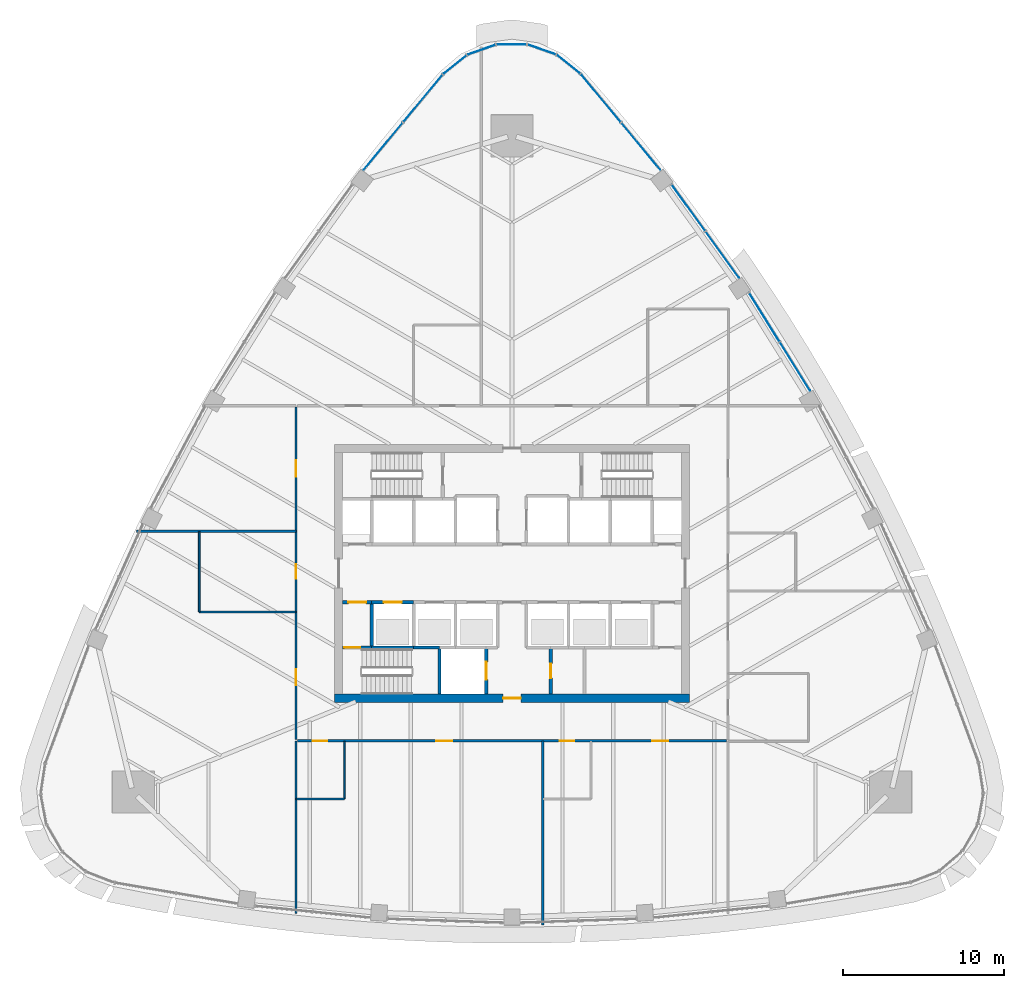
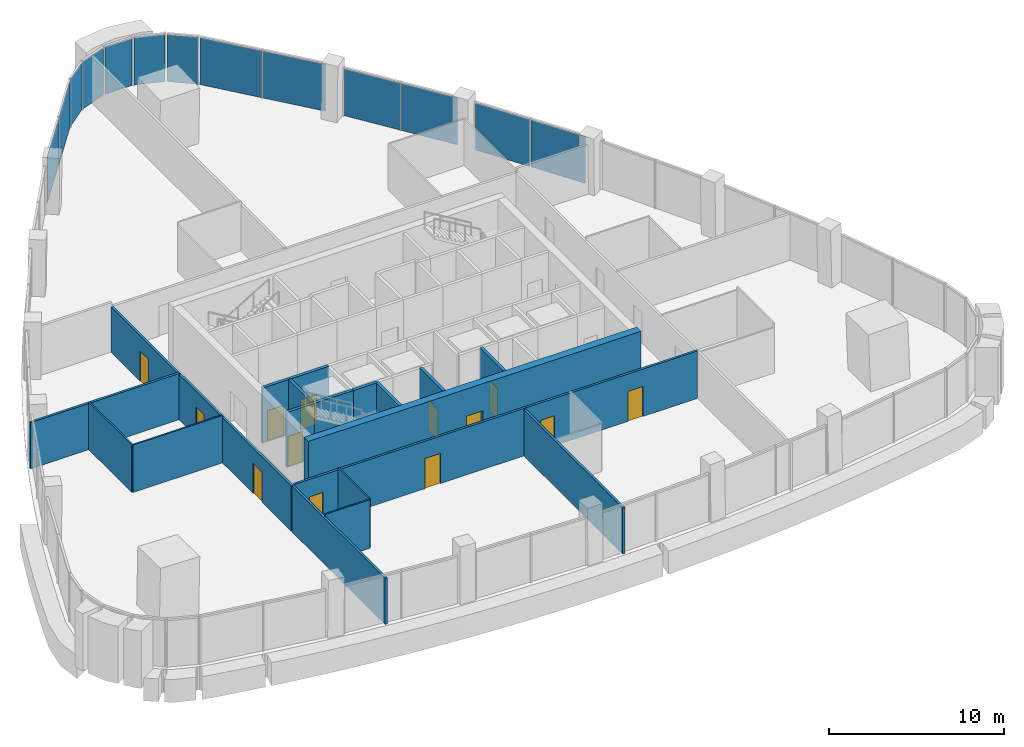
# One storey, part 9 of 16: 19 walls, 13 doors, 13 plates, 13 openings, 9 elements without a shape of their own.
"""IFC4 building model written with IfcOpenShell, lengths in metres."""

from ifc_helpers import new_model, si_unit, direction, frame, frame_2d, origin, origin_2d, place, context, subcontext, project, spatial, rectangle, extrude, material, layer, layer_set, type_object, element, fill, aggregate, save


model = new_model("IFC4")

# Units and contexts
model_context = context("Model", 3, precision=1e-05, world=origin(), true_north=direction((0.0, 1.0)))
body_context = subcontext(model_context, "Body", "Model", "MODEL_VIEW")
ifc_project = project(units=[si_unit("LENGTHUNIT", "METRE"), si_unit("AREAUNIT", "SQUARE_METRE"), si_unit("VOLUMEUNIT", "CUBIC_METRE"), si_unit("PLANEANGLEUNIT", "RADIAN"), si_unit("MASSUNIT", "GRAM", prefix="KILO")], contexts=[model_context])

# Site, building, storey
site_placement = place(None, origin())
site = spatial("IfcSite", under=ifc_project, at=site_placement, CompositionType="ELEMENT")
building_placement = place(site_placement, origin())
building = spatial("IfcBuilding", under=site, at=building_placement, Name="Sierra Prisma Convention Tower", CompositionType="ELEMENT")
storey_placement = place(building_placement, frame((0.0, 0.0, 181.800048828125)))
storey = spatial("IfcBuildingStorey", under=building, at=storey_placement, Name="L40", CompositionType="ELEMENT", Elevation=181.800048828125)

# Curtain wall, plates
ifc_material_1 = material(Name="Aluminium and glass curtain wall", Category="aluminium")
ifc_layer_1 = layer(ifc_material_1, 0.179931640625)
ifc_layer_set_1 = layer_set([ifc_layer_1], Name="CW-1 Plain shaft curtain wall")
curtain_wall_type = type_object("IfcCurtainWallType", Name="CW-1 Plain shaft curtain wall", PredefinedType="NOTDEFINED", material=ifc_layer_set_1)
curtain_wall_1_placement = place(storey_placement, origin())
curtain_wall_1 = element("IfcCurtainWall", 1, at=curtain_wall_1_placement, inside=storey, type_object=curtain_wall_type, Name="CW-1 NE4 L40", PredefinedType="NOTDEFINED")
ifc_material_2 = material(Name="Tinted glass bronze-grey IGU", Category="glass")
ifc_layer_2 = layer(ifc_material_2, 0.028076171875)
ifc_layer_set_2 = layer_set([ifc_layer_2], Name="CW-1 glass panel")
plate_type = type_object("IfcPlateType", Name="CW-1 glass panel", PredefinedType="CURTAIN_PANEL", material=ifc_layer_set_2)
plate_1_placement = place(storey_placement, frame((17.55419921875, 12.8291015625, 0.0), z_axis=(0.0, 0.0, 1.0), x_axis=(-0.528978775538, 0.84863505409, 0.0)))
plate_1 = element("IfcPlate", 2, at=plate_1_placement, type_object=plate_type, Name="CW-1 panel NE4.1", PredefinedType="CURTAIN_PANEL", context=body_context, shape_type="SweptSolid", body=[
    extrude(rectangle(XDim=3.529052734375, YDim=0.028076171875, at=origin_2d()), origin(), (0.0, 0.0, 1.0), 3.280029296875),
])
plate_2_placement = place(storey_placement, frame((15.650390625, 15.88330078125, 0.0), z_axis=(0.0, 0.0, 1.0), x_axis=(-0.528978775538, 0.84863505409, 0.0)))
plate_2 = element("IfcPlate", 3, at=plate_2_placement, type_object=plate_type, Name="CW-1 panel NE4.2", PredefinedType="CURTAIN_PANEL", context=body_context, shape_type="SweptSolid", body=[
    extrude(rectangle(XDim=3.529052734375, YDim=0.028076171875, at=origin_2d()), origin(), (0.0, 0.0, 1.0), 3.280029296875),
])
aggregate(curtain_wall_1, [plate_1, plate_2])

curtain_wall_2_placement = place(storey_placement, origin())
curtain_wall_2 = element("IfcCurtainWall", 4, at=curtain_wall_2_placement, inside=storey, type_object=curtain_wall_type, Name="CW-1 NE5 L40", PredefinedType="NOTDEFINED")
plate_3_placement = place(storey_placement, frame((13.047607421875, 19.76171875, 0.0), z_axis=(0.0, 0.0, 1.0), x_axis=(-0.585091328684, 0.810967408161, 0.0)))
plate_3 = element("IfcPlate", 5, at=plate_3_placement, type_object=plate_type, Name="CW-1 panel NE5.1", PredefinedType="CURTAIN_PANEL", context=body_context, shape_type="SweptSolid", body=[
    extrude(rectangle(XDim=3.513671875, YDim=0.028076171875, at=origin_2d()), origin(), (0.0, 0.0, 1.0), 3.280029296875),
])
plate_4_placement = place(storey_placement, frame((10.950927734375, 22.66796875, 0.0), z_axis=(0.0, 0.0, 1.0), x_axis=(-0.585091328684, 0.810967408161, 0.0)))
plate_4 = element("IfcPlate", 6, at=plate_4_placement, type_object=plate_type, Name="CW-1 panel NE5.2", PredefinedType="CURTAIN_PANEL", context=body_context, shape_type="SweptSolid", body=[
    extrude(rectangle(XDim=3.513671875, YDim=0.028076171875, at=origin_2d()), origin(), (0.0, 0.0, 1.0), 3.280029296875),
])
aggregate(curtain_wall_2, [plate_3, plate_4])

curtain_wall_3_placement = place(storey_placement, origin())
curtain_wall_3 = element("IfcCurtainWall", 7, at=curtain_wall_3_placement, inside=storey, type_object=curtain_wall_type, Name="CW-1 NE6 L40", PredefinedType="NOTDEFINED")
plate_5_placement = place(storey_placement, frame((7.991943359375, 26.48486328125, 0.0), z_axis=(0.0, 0.0, 1.0), x_axis=(-0.638531494625, 0.769595692797, 0.0)))
plate_5 = element("IfcPlate", 8, at=plate_5_placement, type_object=plate_type, Name="CW-1 panel NE6.1", PredefinedType="CURTAIN_PANEL", context=body_context, shape_type="SweptSolid", body=[
    extrude(rectangle(XDim=3.78515625, YDim=0.028076171875, at=origin_2d()), origin(), (0.0, 0.0, 1.0), 3.280029296875),
])
plate_6_placement = place(storey_placement, frame((5.5302734375, 29.45166015625, 0.0), z_axis=(0.0, 0.0, 1.0), x_axis=(-0.638531494625, 0.769595692797, 0.0)))
plate_6 = element("IfcPlate", 9, at=plate_6_placement, type_object=plate_type, Name="CW-1 panel NE6.2", PredefinedType="CURTAIN_PANEL", context=body_context, shape_type="SweptSolid", body=[
    extrude(rectangle(XDim=3.78515625, YDim=0.028076171875, at=origin_2d()), origin(), (0.0, 0.0, 1.0), 3.280029296875),
])
aggregate(curtain_wall_3, [plate_5, plate_6])

# Curtain wall, plate
curtain_wall_4_placement = place(storey_placement, origin())
curtain_wall_4 = element("IfcCurtainWall", 10, at=curtain_wall_4_placement, inside=storey, type_object=curtain_wall_type, Name="CW-1 N1 L40", PredefinedType="NOTDEFINED")
plate_7_placement = place(storey_placement, frame((3.52685546875, 31.563232421875, 0.0), z_axis=(0.0, 0.0, 1.0), x_axis=(-0.780377015542, 0.62530929436, 0.0)))
plate_7 = element("IfcPlate", 11, at=plate_7_placement, type_object=plate_type, Name="CW-1 panel N1.1", PredefinedType="CURTAIN_PANEL", context=body_context, shape_type="SweptSolid", body=[
    extrude(rectangle(XDim=1.783203125, YDim=0.028076171875, at=origin_2d()), origin(), (0.0, 0.0, 1.0), 3.280029296875),
])
aggregate(curtain_wall_4, [plate_7])

curtain_wall_5_placement = place(storey_placement, origin())
curtain_wall_5 = element("IfcCurtainWall", 12, at=curtain_wall_5_placement, inside=storey, type_object=curtain_wall_type, Name="CW-1 N2 L40", PredefinedType="NOTDEFINED")
plate_8_placement = place(storey_placement, frame((1.868896484375, 32.4833984375, 0.0), z_axis=(0.0, 0.0, 1.0), x_axis=(-0.943498016838, 0.331378171012, 0.0)))
plate_8 = element("IfcPlate", 13, at=plate_8_placement, type_object=plate_type, Name="CW-1 panel N2.1", PredefinedType="CURTAIN_PANEL", context=body_context, shape_type="SweptSolid", body=[
    extrude(rectangle(XDim=1.783203125, YDim=0.028076171875, at=origin_2d()), origin(), (0.0, 0.0, 1.0), 3.280029296875),
])
aggregate(curtain_wall_5, [plate_8])

curtain_wall_6_placement = place(storey_placement, origin())
curtain_wall_6 = element("IfcCurtainWall", 14, at=curtain_wall_6_placement, inside=storey, type_object=curtain_wall_type, Name="CW-1 N3 L40", PredefinedType="NOTDEFINED")
plate_9_placement = place(storey_placement, frame((0.0, 32.802001953125, 0.0), z_axis=(0.0, 0.0, 1.0), x_axis=(-1.0, 0.0, 0.0)))
plate_9 = element("IfcPlate", 15, at=plate_9_placement, type_object=plate_type, Name="CW-1 panel N3.1", PredefinedType="CURTAIN_PANEL", context=body_context, shape_type="SweptSolid", body=[
    extrude(rectangle(XDim=1.783203125, YDim=0.028076171875, at=origin_2d()), origin(), (0.0, 0.0, 1.0), 3.280029296875),
])
aggregate(curtain_wall_6, [plate_9])

curtain_wall_7_placement = place(storey_placement, origin())
curtain_wall_7 = element("IfcCurtainWall", 16, at=curtain_wall_7_placement, inside=storey, type_object=curtain_wall_type, Name="CW-1 N4 L40", PredefinedType="NOTDEFINED")
plate_10_placement = place(storey_placement, frame((-1.868896484375, 32.4833984375, 0.0), z_axis=(0.0, 0.0, 1.0), x_axis=(-0.943498016838, -0.331378171012, 0.0)))
plate_10 = element("IfcPlate", 17, at=plate_10_placement, type_object=plate_type, Name="CW-1 panel N4.1", PredefinedType="CURTAIN_PANEL", context=body_context, shape_type="SweptSolid", body=[
    extrude(rectangle(XDim=1.783203125, YDim=0.028076171875, at=origin_2d()), origin(), (0.0, 0.0, 1.0), 3.280029296875),
])
aggregate(curtain_wall_7, [plate_10])

curtain_wall_8_placement = place(storey_placement, origin())
curtain_wall_8 = element("IfcCurtainWall", 18, at=curtain_wall_8_placement, inside=storey, type_object=curtain_wall_type, Name="CW-1 N5 L40", PredefinedType="NOTDEFINED")
plate_11_placement = place(storey_placement, frame((-3.52685546875, 31.563232421875, 0.0), z_axis=(0.0, 0.0, 1.0), x_axis=(-0.780377015542, -0.62530929436, 0.0)))
plate_11 = element("IfcPlate", 19, at=plate_11_placement, type_object=plate_type, Name="CW-1 panel N5.1", PredefinedType="CURTAIN_PANEL", context=body_context, shape_type="SweptSolid", body=[
    extrude(rectangle(XDim=1.783203125, YDim=0.028076171875, at=origin_2d()), origin(), (0.0, 0.0, 1.0), 3.280029296875),
])
aggregate(curtain_wall_8, [plate_11])

# Curtain wall, plates
curtain_wall_9_placement = place(storey_placement, origin())
curtain_wall_9 = element("IfcCurtainWall", 20, at=curtain_wall_9_placement, inside=storey, type_object=curtain_wall_type, Name="CW-1 NW1 L40", PredefinedType="NOTDEFINED")
plate_12_placement = place(storey_placement, frame((-5.5302734375, 29.45166015625, 0.0), z_axis=(0.0, 0.0, 1.0), x_axis=(-0.638531494625, -0.769595692797, 0.0)))
plate_12 = element("IfcPlate", 21, at=plate_12_placement, type_object=plate_type, Name="CW-1 panel NW1.1", PredefinedType="CURTAIN_PANEL", context=body_context, shape_type="SweptSolid", body=[
    extrude(rectangle(XDim=3.78515625, YDim=0.028076171875, at=origin_2d()), origin(), (0.0, 0.0, 1.0), 3.280029296875),
])
plate_13_placement = place(storey_placement, frame((-7.991943359375, 26.48486328125, 0.0), z_axis=(0.0, 0.0, 1.0), x_axis=(-0.638531494625, -0.769595692797, 0.0)))
plate_13 = element("IfcPlate", 22, at=plate_13_placement, type_object=plate_type, Name="CW-1 panel NW1.2", PredefinedType="CURTAIN_PANEL", context=body_context, shape_type="SweptSolid", body=[
    extrude(rectangle(XDim=3.78515625, YDim=0.028076171875, at=origin_2d()), origin(), (0.0, 0.0, 1.0), 3.280029296875),
])
aggregate(curtain_wall_9, [plate_12, plate_13])

# Walls
ifc_material_3 = material(Name="Gypsum board partition", Category="gypsum")
ifc_layer_3 = layer(ifc_material_3, 0.10009765625)
ifc_layer_set_3 = layer_set([ifc_layer_3], Name="Bathroom partition 100")
wall_type_1 = type_object("IfcWallType", Name="Bathroom partition 100", PredefinedType="PARTITIONING", material=ifc_layer_set_3)
wall_1_placement = place(storey_placement, frame((-13.429931640625, -2.39990234375, 0.0), z_axis=(0.0, 0.0, 1.0), x_axis=(-1.0, 0.0, 0.0)))
element("IfcWall", 23, at=wall_1_placement, inside=storey, type_object=wall_type_1, Name="Partition L40 bath 1", PredefinedType="PARTITIONING", context=body_context, shape_type="SweptSolid", body=[
    extrude(rectangle(XDim=5.969970703125, YDim=0.10009765625, at=frame_2d((2.98486328125, 0.0))), origin(), (0.0, 0.0, 1.0), 3.31689453125),
])
wall_2_placement = place(storey_placement, frame((-19.39990234375, -2.39990234375, 0.0), z_axis=(0.0, 0.0, 1.0), x_axis=(0.0, 1.0, 0.0)))
element("IfcWall", 24, at=wall_2_placement, inside=storey, type_object=wall_type_1, Name="Partition L40 bath 2", PredefinedType="PARTITIONING", context=body_context, shape_type="SweptSolid", body=[
    extrude(rectangle(XDim=4.969970703125, YDim=0.10009765625, at=frame_2d((2.48486328125, 0.0))), origin(), (0.0, 0.0, 1.0), 3.31689453125),
])
wall_3_placement = place(storey_placement, frame((-10.39990234375, -10.429931640625, 0.0), z_axis=(0.0, 0.0, 1.0), x_axis=(0.0, -1.0, 0.0)))
element("IfcWall", 25, at=wall_3_placement, inside=storey, type_object=wall_type_1, Name="Partition L40 bath 3", PredefinedType="PARTITIONING", context=body_context, shape_type="SweptSolid", body=[
    extrude(rectangle(XDim=3.570068359375, YDim=0.10009765625, at=frame_2d((1.78515625, 0.0))), origin(), (0.0, 0.0, 1.0), 3.449951171875),
])
wall_4_placement = place(storey_placement, frame((-10.39990234375, -14.0, 0.0), z_axis=(0.0, 0.0, 1.0), x_axis=(-1.0, 0.0, 0.0)))
element("IfcWall", 26, at=wall_4_placement, inside=storey, type_object=wall_type_1, Name="Partition L40 bath 4", PredefinedType="PARTITIONING", context=body_context, shape_type="SweptSolid", body=[
    extrude(rectangle(XDim=2.97021484375, YDim=0.10009765625, at=frame_2d((1.485107421875, 0.0))), origin(), (0.0, 0.0, 1.0), 3.39306640625),
])

# Wall, opening, door
ifc_material_4 = material(Name="Concrete C30/37", Category="concrete")
ifc_layer_4 = layer(ifc_material_4, 0.199951171875)
ifc_layer_set_4 = layer_set([ifc_layer_4], Name="Core wall RC 200 C30/37")
wall_type_2 = type_object("IfcWallType", Name="Core wall RC 200 C30/37", PredefinedType="SOLIDWALL", material=ifc_layer_set_4)
wall_5_placement = place(storey_placement, frame((-10.5, -4.60009765625, 0.0), z_axis=(0.0, 0.0, 1.0), x_axis=(1.0, 0.0, 0.0)))
wall_5 = element("IfcWall", 27, at=wall_5_placement, inside=storey, type_object=wall_type_2, Name="Core wall L40 1", PredefinedType="SOLIDWALL", context=body_context, shape_type="SweptSolid", body=[
    extrude(rectangle(XDim=1.800048828125, YDim=0.199951171875, at=frame_2d((0.89990234375, 0.0))), origin(), (0.0, 0.0, 1.0), 3.849853515625),
])
opening_1_placement = place(wall_5_placement, frame((0.10009765625, 0.0, 0.0)))
opening_1 = element("IfcOpeningElement", 28, at=opening_1_placement, cuts=wall_5, Name="Opening L40-D015", PredefinedType="OPENING", context=body_context, shape_type="SweptSolid", body=[
    extrude(rectangle(XDim=1.0, YDim=2.10009765625, at=frame_2d((0.5, 1.050048828125))), frame((0.0, 0.10009765625, 0.0), z_axis=(0.0, -1.0, 0.0), x_axis=(1.0, 0.0, 0.0)), (0.0, 0.0, 1.0), 0.199951171875),
])
ifc_material_5 = material(Name="Steel fire door leaf", Category="steel")
door_type_1 = type_object("IfcDoorType", Name="Door 1000x2100 FD90S", OperationType="SINGLE_SWING_LEFT", PredefinedType="DOOR", material=ifc_material_5)
door_1_placement = place(opening_1_placement, origin())
door_1 = element("IfcDoor", 29, at=door_1_placement, inside=storey, type_object=door_type_1, Name="Door L40 30", OperationType="SINGLE_SWING_LEFT", OverallHeight=2.10009765625, OverallWidth=1.0, PredefinedType="DOOR", context=body_context, shape_type="SweptSolid", body=[
    extrude(rectangle(XDim=1.0, YDim=2.10009765625, at=frame_2d((0.5, 1.050048828125))), frame((0.0, 0.02490234375, 0.0), z_axis=(0.0, -1.0, 0.0), x_axis=(1.0, 0.0, 0.0)), (0.0, 0.0, 1.0), 0.050048828125),
])
fill(opening_1, door_1)

wall_6_placement = place(storey_placement, frame((-10.5, -1.800048828125, 0.0), z_axis=(0.0, 0.0, 1.0), x_axis=(1.0, 0.0, 0.0)))
wall_6 = element("IfcWall", 30, at=wall_6_placement, inside=storey, type_object=wall_type_2, Name="Core wall L40 2", PredefinedType="SOLIDWALL", context=body_context, shape_type="SweptSolid", body=[
    extrude(rectangle(XDim=1.800048828125, YDim=0.199951171875, at=frame_2d((0.89990234375, 0.0))), origin(), (0.0, 0.0, 1.0), 3.849853515625),
])
opening_2_placement = place(wall_6_placement, frame((0.35009765625, 0.0, 0.0)))
opening_2 = element("IfcOpeningElement", 31, at=opening_2_placement, cuts=wall_6, Name="Opening L40-D010", PredefinedType="OPENING", context=body_context, shape_type="SweptSolid", body=[
    extrude(rectangle(XDim=1.10009765625, YDim=2.10009765625, at=frame_2d((0.550048828125, 1.050048828125))), frame((0.0, 0.10009765625, 0.0), z_axis=(0.0, -1.0, 0.0), x_axis=(1.0, 0.0, 0.0)), (0.0, 0.0, 1.0), 0.199951171875),
])
ifc_material_6 = material(Name="Steel fire door leaf", Category="steel")
door_type_2 = type_object("IfcDoorType", Name="Door 1100x2100 FD90S", OperationType="SINGLE_SWING_LEFT", PredefinedType="DOOR", material=ifc_material_6)
door_2_placement = place(opening_2_placement, origin())
door_2 = element("IfcDoor", 32, at=door_2_placement, inside=storey, type_object=door_type_2, Name="Door L40 25", OperationType="SINGLE_SWING_LEFT", OverallHeight=2.10009765625, OverallWidth=1.10009765625, PredefinedType="DOOR", context=body_context, shape_type="SweptSolid", body=[
    extrude(rectangle(XDim=1.10009765625, YDim=2.10009765625, at=frame_2d((0.550048828125, 1.050048828125))), frame((0.0, 0.02490234375, 0.0), z_axis=(0.0, -1.0, 0.0), x_axis=(1.0, 0.0, 0.0)), (0.0, 0.0, 1.0), 0.050048828125),
])
fill(opening_2, door_2)

# Walls
wall_7_placement = place(storey_placement, frame((-8.699951171875, -4.60009765625, 0.0), z_axis=(0.0, 0.0, 1.0), x_axis=(1.0, 0.0, 0.0)))
element("IfcWall", 33, at=wall_7_placement, inside=storey, type_object=wall_type_2, Name="Core wall L40 5", PredefinedType="SOLIDWALL", context=body_context, shape_type="SweptSolid", body=[
    extrude(rectangle(XDim=2.599853515625, YDim=0.199951171875, at=frame_2d((1.2998046875, 0.0))), origin(), (0.0, 0.0, 1.0), 3.849853515625),
])
wall_8_placement = place(storey_placement, frame((-8.699951171875, -4.60009765625, 0.0), z_axis=(0.0, 0.0, 1.0), x_axis=(0.0, 1.0, 0.0)))
element("IfcWall", 34, at=wall_8_placement, inside=storey, type_object=wall_type_2, Name="Core wall L40 6", PredefinedType="SOLIDWALL", context=body_context, shape_type="SweptSolid", body=[
    extrude(rectangle(XDim=2.800048828125, YDim=0.199951171875, at=frame_2d((1.39990234375, 0.0))), origin(), (0.0, 0.0, 1.0), 3.849853515625),
])

# Wall, opening, door
wall_9_placement = place(storey_placement, frame((-8.699951171875, -1.800048828125, 0.0), z_axis=(0.0, 0.0, 1.0), x_axis=(1.0, 0.0, 0.0)))
wall_9 = element("IfcWall", 35, at=wall_9_placement, inside=storey, type_object=wall_type_2, Name="Core wall L40 7", PredefinedType="SOLIDWALL", context=body_context, shape_type="SweptSolid", body=[
    extrude(rectangle(XDim=2.599853515625, YDim=0.199951171875, at=frame_2d((1.2998046875, 0.0))), origin(), (0.0, 0.0, 1.0), 3.849853515625),
])
opening_3_placement = place(wall_9_placement, frame((0.75, 0.0, 0.0)))
opening_3 = element("IfcOpeningElement", 36, at=opening_3_placement, cuts=wall_9, Name="Opening L40-D001", PredefinedType="OPENING", context=body_context, shape_type="SweptSolid", body=[
    extrude(rectangle(XDim=1.10009765625, YDim=2.10009765625, at=frame_2d((0.550048828125, 1.050048828125))), frame((0.0, 0.10009765625, 0.0), z_axis=(0.0, -1.0, 0.0), x_axis=(1.0, 0.0, 0.0)), (0.0, 0.0, 1.0), 0.199951171875),
])
ifc_material_7 = material(Name="Steel fire door leaf", Category="steel")
door_type_3 = type_object("IfcDoorType", Name="Door 1100x2100 EI 90 sliding lift landing", OperationType="SLIDING_TO_LEFT", PredefinedType="DOOR", material=ifc_material_7)
door_3_placement = place(opening_3_placement, origin())
door_3 = element("IfcDoor", 37, at=door_3_placement, inside=storey, type_object=door_type_3, Name="Door L40 16", OperationType="SLIDING_TO_LEFT", OverallHeight=2.10009765625, OverallWidth=1.10009765625, PredefinedType="DOOR", context=body_context, shape_type="SweptSolid", body=[
    extrude(rectangle(XDim=1.10009765625, YDim=2.10009765625, at=frame_2d((0.550048828125, 1.050048828125))), frame((0.0, 0.02490234375, 0.0), z_axis=(0.0, -1.0, 0.0), x_axis=(1.0, 0.0, 0.0)), (0.0, 0.0, 1.0), 0.050048828125),
])
fill(opening_3, door_3)

# Walls
wall_10_placement = place(storey_placement, frame((-6.10009765625, -4.60009765625, 0.0), z_axis=(0.0, 0.0, 1.0), x_axis=(1.0, 0.0, 0.0)))
element("IfcWall", 38, at=wall_10_placement, inside=storey, type_object=wall_type_2, Name="Core wall L40 11", PredefinedType="SOLIDWALL", context=body_context, shape_type="SweptSolid", body=[
    extrude(rectangle(XDim=1.60009765625, YDim=0.199951171875, at=frame_2d((0.800048828125, 0.0))), origin(), (0.0, 0.0, 1.0), 3.849853515625),
])
wall_11_placement = place(storey_placement, frame((-4.5, -4.60009765625, 0.0), z_axis=(0.0, 0.0, 1.0), x_axis=(0.0, -1.0, 0.0)))
element("IfcWall", 39, at=wall_11_placement, inside=storey, type_object=wall_type_2, Name="Core wall L40 17", PredefinedType="SOLIDWALL", context=body_context, shape_type="SweptSolid", body=[
    extrude(rectangle(XDim=2.89990234375, YDim=0.199951171875, at=frame_2d((1.449951171875, 0.0))), origin(), (0.0, 0.0, 1.0), 3.849853515625),
])

# Wall, opening, door
wall_12_placement = place(storey_placement, frame((-1.60009765625, -7.5, 0.0), z_axis=(0.0, 0.0, 1.0), x_axis=(0.0, 1.0, 0.0)))
wall_12 = element("IfcWall", 40, at=wall_12_placement, inside=storey, type_object=wall_type_2, Name="Core wall L40 29", PredefinedType="SOLIDWALL", context=body_context, shape_type="SweptSolid", body=[
    extrude(rectangle(XDim=2.89990234375, YDim=0.199951171875, at=frame_2d((1.449951171875, 0.0))), origin(), (0.0, 0.0, 1.0), 3.849853515625),
])
opening_4_placement = place(wall_12_placement, frame((0.89990234375, 0.0, 0.0)))
opening_4 = element("IfcOpeningElement", 41, at=opening_4_placement, cuts=wall_12, Name="Opening L40-D009", PredefinedType="OPENING", context=body_context, shape_type="SweptSolid", body=[
    extrude(rectangle(XDim=1.10009765625, YDim=2.10009765625, at=frame_2d((0.550048828125, 1.050048828125))), frame((0.0, 0.10009765625, 0.0), z_axis=(0.0, -1.0, 0.0), x_axis=(1.0, 0.0, 0.0)), (0.0, 0.0, 1.0), 0.199951171875),
])
door_4_placement = place(opening_4_placement, origin())
door_4 = element("IfcDoor", 42, at=door_4_placement, inside=storey, type_object=door_type_3, Name="Door L40 24", OperationType="SLIDING_TO_LEFT", OverallHeight=2.10009765625, OverallWidth=1.10009765625, PredefinedType="DOOR", context=body_context, shape_type="SweptSolid", body=[
    extrude(rectangle(XDim=1.10009765625, YDim=2.10009765625, at=frame_2d((0.550048828125, 1.050048828125))), frame((0.0, 0.02490234375, 0.0), z_axis=(0.0, -1.0, 0.0), x_axis=(1.0, 0.0, 0.0)), (0.0, 0.0, 1.0), 0.050048828125),
])
fill(opening_4, door_4)

wall_13_placement = place(storey_placement, frame((2.39990234375, -4.60009765625, 0.0), z_axis=(0.0, 0.0, 1.0), x_axis=(0.0, -1.0, 0.0)))
wall_13 = element("IfcWall", 43, at=wall_13_placement, inside=storey, type_object=wall_type_2, Name="Core wall L40 41", PredefinedType="SOLIDWALL", context=body_context, shape_type="SweptSolid", body=[
    extrude(rectangle(XDim=2.89990234375, YDim=0.199951171875, at=frame_2d((1.449951171875, 0.0))), origin(), (0.0, 0.0, 1.0), 3.849853515625),
])
opening_5_placement = place(wall_13_placement, frame((1.0, 0.0, 0.0)))
opening_5 = element("IfcOpeningElement", 44, at=opening_5_placement, cuts=wall_13, Name="Opening L40-D020", PredefinedType="OPENING", context=body_context, shape_type="SweptSolid", body=[
    extrude(rectangle(XDim=0.89990234375, YDim=2.10009765625, at=frame_2d((0.449951171875, 1.050048828125))), frame((0.0, 0.10009765625, 0.0), z_axis=(0.0, -1.0, 0.0), x_axis=(1.0, 0.0, 0.0)), (0.0, 0.0, 1.0), 0.199951171875),
])
ifc_material_8 = material(Name="Steel fire door leaf", Category="steel")
door_type_4 = type_object("IfcDoorType", Name="Door 900x2100 FD30S", OperationType="SINGLE_SWING_LEFT", PredefinedType="DOOR", material=ifc_material_8)
door_5_placement = place(opening_5_placement, origin())
door_5 = element("IfcDoor", 45, at=door_5_placement, inside=storey, type_object=door_type_4, Name="Door L40 35", OperationType="SINGLE_SWING_LEFT", OverallHeight=2.10009765625, OverallWidth=0.89990234375, PredefinedType="DOOR", context=body_context, shape_type="SweptSolid", body=[
    extrude(rectangle(XDim=0.89990234375, YDim=2.10009765625, at=frame_2d((0.449951171875, 1.050048828125))), frame((0.0, 0.02490234375, 0.0), z_axis=(0.0, -1.0, 0.0), x_axis=(1.0, 0.0, 0.0)), (0.0, 0.0, 1.0), 0.050048828125),
])
fill(opening_5, door_5)

ifc_material_9 = material(Name="Concrete C60/75", Category="concrete")
ifc_layer_5 = layer(ifc_material_9, 0.5)
ifc_layer_set_5 = layer_set([ifc_layer_5], Name="Core wall RC 500 C60/75")
wall_type_3 = type_object("IfcWallType", Name="Core wall RC 500 C60/75", PredefinedType="SHEAR", material=ifc_layer_set_5)
wall_14_placement = place(storey_placement, frame((-11.0, -7.75, 0.0), z_axis=(0.0, 0.0, 1.0), x_axis=(1.0, 0.0, 0.0)))
wall_14 = element("IfcWall", 46, at=wall_14_placement, inside=storey, type_object=wall_type_3, Name="Core wall S L40", PredefinedType="SHEAR", context=body_context, shape_type="SweptSolid", body=[
    extrude(rectangle(XDim=22.0, YDim=0.5, at=frame_2d((11.0, 0.0))), origin(), (0.0, 0.0, 1.0), 4.0),
])
opening_6_placement = place(wall_14_placement, frame((10.449951171875, 0.0, 0.0)))
opening_6 = element("IfcOpeningElement", 47, at=opening_6_placement, cuts=wall_14, Name="Opening L40-D038", PredefinedType="OPENING", context=body_context, shape_type="SweptSolid", body=[
    extrude(rectangle(XDim=1.10009765625, YDim=2.10009765625, at=frame_2d((0.550048828125, 1.050048828125))), frame((0.0, 0.25, 0.0), z_axis=(0.0, -1.0, 0.0), x_axis=(1.0, 0.0, 0.0)), (0.0, 0.0, 1.0), 0.5),
])
ifc_material_10 = material(Name="Steel fire door leaf", Category="steel")
door_type_5 = type_object("IfcDoorType", Name="Door 1100x2100 FD30S", OperationType="SINGLE_SWING_LEFT", PredefinedType="DOOR", material=ifc_material_10)
door_6_placement = place(opening_6_placement, origin())
door_6 = element("IfcDoor", 48, at=door_6_placement, inside=storey, type_object=door_type_5, Name="Door L40 39", OperationType="SINGLE_SWING_LEFT", OverallHeight=2.10009765625, OverallWidth=1.10009765625, PredefinedType="DOOR", context=body_context, shape_type="SweptSolid", body=[
    extrude(rectangle(XDim=1.10009765625, YDim=2.10009765625, at=frame_2d((0.550048828125, 1.050048828125))), frame((0.0, 0.02490234375, 0.0), z_axis=(0.0, -1.0, 0.0), x_axis=(1.0, 0.0, 0.0)), (0.0, 0.0, 1.0), 0.050048828125),
])
fill(opening_6, door_6)

# Wall, openings, doors
ifc_material_11 = material(Name="Gypsum board partition", Category="gypsum")
ifc_layer_6 = layer(ifc_material_11, 0.14990234375)
ifc_layer_set_6 = layer_set([ifc_layer_6], Name="Corridor wall 150 gypsum EI 60")
wall_type_4 = type_object("IfcWallType", Name="Corridor wall 150 gypsum EI 60", PredefinedType="PARTITIONING", material=ifc_layer_set_6)
wall_15_placement = place(storey_placement, frame((-13.39990234375, 10.320068359375, 0.0), z_axis=(0.0, 0.0, 1.0), x_axis=(0.0, -1.0, 0.0)))
wall_15 = element("IfcWall", 49, at=wall_15_placement, inside=storey, type_object=wall_type_4, Name="Partition L40 corr 1", PredefinedType="PARTITIONING", context=body_context, shape_type="SweptSolid", body=[
    extrude(rectangle(XDim=20.64013671875, YDim=0.14990234375, at=frame_2d((10.320068359375, 0.0))), origin(), (0.0, 0.0, 1.0), 3.166015625),
])
opening_7_placement = place(wall_15_placement, frame((3.320068359375, 0.0, 0.0)))
opening_7 = element("IfcOpeningElement", 50, at=opening_7_placement, cuts=wall_15, Name="Opening L40-D027", PredefinedType="OPENING", context=body_context, shape_type="SweptSolid", body=[
    extrude(rectangle(XDim=1.0, YDim=2.10009765625, at=frame_2d((0.5, 1.050048828125))), frame((0.0, 0.074951171875, 0.0), z_axis=(0.0, -1.0, 0.0), x_axis=(1.0, 0.0, 0.0)), (0.0, 0.0, 1.0), 0.14990234375),
])
opening_8_placement = place(wall_15_placement, frame((9.77001953125, 0.0, 0.0)))
opening_8 = element("IfcOpeningElement", 51, at=opening_8_placement, cuts=wall_15, Name="Opening L40-D028", PredefinedType="OPENING", context=body_context, shape_type="SweptSolid", body=[
    extrude(rectangle(XDim=0.89990234375, YDim=2.10009765625, at=frame_2d((0.449951171875, 1.050048828125))), frame((0.0, 0.074951171875, 0.0), z_axis=(0.0, -1.0, 0.0), x_axis=(1.0, 0.0, 0.0)), (0.0, 0.0, 1.0), 0.14990234375),
])
opening_9_placement = place(wall_15_placement, frame((16.280029296875, 0.0, 0.0)))
opening_9 = element("IfcOpeningElement", 52, at=opening_9_placement, cuts=wall_15, Name="Opening L40-D029", PredefinedType="OPENING", context=body_context, shape_type="SweptSolid", body=[
    extrude(rectangle(XDim=1.0, YDim=2.10009765625, at=frame_2d((0.5, 1.050048828125))), frame((0.0, 0.074951171875, 0.0), z_axis=(0.0, -1.0, 0.0), x_axis=(1.0, 0.0, 0.0)), (0.0, 0.0, 1.0), 0.14990234375),
])
ifc_material_12 = material(Name="Steel fire door leaf", Category="steel")
door_type_6 = type_object("IfcDoorType", Name="Door 1000x2100 FD30S", OperationType="SINGLE_SWING_LEFT", PredefinedType="DOOR", material=ifc_material_12)
door_7_placement = place(opening_7_placement, origin())
door_7 = element("IfcDoor", 53, at=door_7_placement, inside=storey, type_object=door_type_6, Name="Door L40 7", OperationType="SINGLE_SWING_LEFT", OverallHeight=2.10009765625, OverallWidth=1.0, PredefinedType="DOOR", context=body_context, shape_type="SweptSolid", body=[
    extrude(rectangle(XDim=1.0, YDim=2.10009765625, at=frame_2d((0.5, 1.050048828125))), frame((0.0, 0.02490234375, 0.0), z_axis=(0.0, -1.0, 0.0), x_axis=(1.0, 0.0, 0.0)), (0.0, 0.0, 1.0), 0.050048828125),
])
fill(opening_7, door_7)
door_8_placement = place(opening_9_placement, origin())
door_8 = element("IfcDoor", 54, at=door_8_placement, inside=storey, type_object=door_type_6, Name="Door L40 9", OperationType="SINGLE_SWING_RIGHT", OverallHeight=2.10009765625, OverallWidth=1.0, PredefinedType="DOOR", context=body_context, shape_type="SweptSolid", body=[
    extrude(rectangle(XDim=1.0, YDim=2.10009765625, at=frame_2d((0.5, 1.050048828125))), frame((0.0, 0.02490234375, 0.0), z_axis=(0.0, -1.0, 0.0), x_axis=(1.0, 0.0, 0.0)), (0.0, 0.0, 1.0), 0.050048828125),
])
fill(opening_9, door_8)
door_9_placement = place(opening_8_placement, origin())
door_9 = element("IfcDoor", 55, at=door_9_placement, inside=storey, type_object=door_type_4, Name="Door L40 8", OperationType="SINGLE_SWING_RIGHT", OverallHeight=2.10009765625, OverallWidth=0.89990234375, PredefinedType="DOOR", context=body_context, shape_type="SweptSolid", body=[
    extrude(rectangle(XDim=0.89990234375, YDim=2.10009765625, at=frame_2d((0.449951171875, 1.050048828125))), frame((0.0, 0.02490234375, 0.0), z_axis=(0.0, -1.0, 0.0), x_axis=(1.0, 0.0, 0.0)), (0.0, 0.0, 1.0), 0.050048828125),
])
fill(opening_8, door_9)

wall_16_placement = place(storey_placement, frame((-13.320068359375, -10.39990234375, 0.0), z_axis=(0.0, 0.0, 1.0), x_axis=(1.0, 0.0, 0.0)))
wall_16 = element("IfcWall", 56, at=wall_16_placement, inside=storey, type_object=wall_type_4, Name="Partition L40 corr 2", PredefinedType="PARTITIONING", context=body_context, shape_type="SweptSolid", body=[
    extrude(rectangle(XDim=26.64013671875, YDim=0.14990234375, at=frame_2d((13.320068359375, 0.0))), origin(), (0.0, 0.0, 1.0), 3.31689453125),
])
opening_10_placement = place(wall_16_placement, frame((0.969970703125, 0.0, 0.0)))
opening_10 = element("IfcOpeningElement", 57, at=opening_10_placement, cuts=wall_16, Name="Opening L40-D030", PredefinedType="OPENING", context=body_context, shape_type="SweptSolid", body=[
    extrude(rectangle(XDim=0.89990234375, YDim=2.10009765625, at=frame_2d((0.449951171875, 1.050048828125))), frame((0.0, 0.074951171875, 0.0), z_axis=(0.0, -1.0, 0.0), x_axis=(1.0, 0.0, 0.0)), (0.0, 0.0, 1.0), 0.14990234375),
])
opening_11_placement = place(wall_16_placement, frame((8.6201171875, 0.0, 0.0)))
opening_11 = element("IfcOpeningElement", 58, at=opening_11_placement, cuts=wall_16, Name="Opening L40-D031", PredefinedType="OPENING", context=body_context, shape_type="SweptSolid", body=[
    extrude(rectangle(XDim=1.0, YDim=2.10009765625, at=frame_2d((0.5, 1.050048828125))), frame((0.0, 0.074951171875, 0.0), z_axis=(0.0, -1.0, 0.0), x_axis=(1.0, 0.0, 0.0)), (0.0, 0.0, 1.0), 0.14990234375),
])
opening_12_placement = place(wall_16_placement, frame((16.27001953125, 0.0, 0.0)))
opening_12 = element("IfcOpeningElement", 59, at=opening_12_placement, cuts=wall_16, Name="Opening L40-D032", PredefinedType="OPENING", context=body_context, shape_type="SweptSolid", body=[
    extrude(rectangle(XDim=0.89990234375, YDim=2.10009765625, at=frame_2d((0.449951171875, 1.050048828125))), frame((0.0, 0.074951171875, 0.0), z_axis=(0.0, -1.0, 0.0), x_axis=(1.0, 0.0, 0.0)), (0.0, 0.0, 1.0), 0.14990234375),
])
opening_13_placement = place(wall_16_placement, frame((22.02001953125, 0.0, 0.0)))
opening_13 = element("IfcOpeningElement", 60, at=opening_13_placement, cuts=wall_16, Name="Opening L40-D033", PredefinedType="OPENING", context=body_context, shape_type="SweptSolid", body=[
    extrude(rectangle(XDim=1.0, YDim=2.10009765625, at=frame_2d((0.5, 1.050048828125))), frame((0.0, 0.074951171875, 0.0), z_axis=(0.0, -1.0, 0.0), x_axis=(1.0, 0.0, 0.0)), (0.0, 0.0, 1.0), 0.14990234375),
])
door_10_placement = place(opening_11_placement, origin())
door_10 = element("IfcDoor", 61, at=door_10_placement, inside=storey, type_object=door_type_6, Name="Door L40 11", OperationType="SINGLE_SWING_LEFT", OverallHeight=2.10009765625, OverallWidth=1.0, PredefinedType="DOOR", context=body_context, shape_type="SweptSolid", body=[
    extrude(rectangle(XDim=1.0, YDim=2.10009765625, at=frame_2d((0.5, 1.050048828125))), frame((0.0, 0.02490234375, 0.0), z_axis=(0.0, -1.0, 0.0), x_axis=(1.0, 0.0, 0.0)), (0.0, 0.0, 1.0), 0.050048828125),
])
fill(opening_11, door_10)
door_11_placement = place(opening_13_placement, origin())
door_11 = element("IfcDoor", 62, at=door_11_placement, inside=storey, type_object=door_type_6, Name="Door L40 13", OperationType="SINGLE_SWING_RIGHT", OverallHeight=2.10009765625, OverallWidth=1.0, PredefinedType="DOOR", context=body_context, shape_type="SweptSolid", body=[
    extrude(rectangle(XDim=1.0, YDim=2.10009765625, at=frame_2d((0.5, 1.050048828125))), frame((0.0, 0.02490234375, 0.0), z_axis=(0.0, -1.0, 0.0), x_axis=(1.0, 0.0, 0.0)), (0.0, 0.0, 1.0), 0.050048828125),
])
fill(opening_13, door_11)
door_12_placement = place(opening_10_placement, origin())
door_12 = element("IfcDoor", 63, at=door_12_placement, inside=storey, type_object=door_type_4, Name="Door L40 10", OperationType="SINGLE_SWING_LEFT", OverallHeight=2.10009765625, OverallWidth=0.89990234375, PredefinedType="DOOR", context=body_context, shape_type="SweptSolid", body=[
    extrude(rectangle(XDim=0.89990234375, YDim=2.10009765625, at=frame_2d((0.449951171875, 1.050048828125))), frame((0.0, 0.02490234375, 0.0), z_axis=(0.0, -1.0, 0.0), x_axis=(1.0, 0.0, 0.0)), (0.0, 0.0, 1.0), 0.050048828125),
])
fill(opening_10, door_12)
door_13_placement = place(opening_12_placement, origin())
door_13 = element("IfcDoor", 64, at=door_13_placement, inside=storey, type_object=door_type_4, Name="Door L40 12", OperationType="SINGLE_SWING_RIGHT", OverallHeight=2.10009765625, OverallWidth=0.89990234375, PredefinedType="DOOR", context=body_context, shape_type="SweptSolid", body=[
    extrude(rectangle(XDim=0.89990234375, YDim=2.10009765625, at=frame_2d((0.449951171875, 1.050048828125))), frame((0.0, 0.02490234375, 0.0), z_axis=(0.0, -1.0, 0.0), x_axis=(1.0, 0.0, 0.0)), (0.0, 0.0, 1.0), 0.050048828125),
])
fill(opening_12, door_13)

# Walls
ifc_material_13 = material(Name="Gypsum board partition", Category="gypsum")
ifc_layer_7 = layer(ifc_material_13, 0.14990234375)
ifc_layer_set_7 = layer_set([ifc_layer_7], Name="Party wall 150 gypsum")
wall_type_5 = type_object("IfcWallType", Name="Party wall 150 gypsum", PredefinedType="PARTITIONING", material=ifc_layer_set_7)
wall_17_placement = place(storey_placement, frame((-13.39990234375, 2.60009765625, 0.0), z_axis=(0.0, 0.0, 1.0), x_axis=(-1.0, 0.0, 0.0)))
element("IfcWall", 65, at=wall_17_placement, inside=storey, type_object=wall_type_5, Name="Partition L40 party 1", PredefinedType="PARTITIONING", context=body_context, shape_type="SweptSolid", body=[
    extrude(rectangle(XDim=9.88232421875, YDim=0.14990234375, at=frame_2d((4.941162109375, 0.0))), origin(), (0.0, 0.0, 1.0), 3.23388671875),
])
wall_18_placement = place(storey_placement, frame((-13.39990234375, -10.39990234375, 0.0), z_axis=(0.0, 0.0, 1.0), x_axis=(0.0, -1.0, 0.0)))
element("IfcWall", 66, at=wall_18_placement, inside=storey, type_object=wall_type_5, Name="Partition L40 party 3", PredefinedType="PARTITIONING", context=body_context, shape_type="SweptSolid", body=[
    extrude(rectangle(XDim=10.6884765625, YDim=0.14990234375, at=frame_2d((5.34423828125, 0.0))), origin(), (0.0, 0.0, 1.0), 3.23388671875),
])
wall_19_placement = place(storey_placement, frame((1.89990234375, -10.39990234375, 0.0), z_axis=(0.0, 0.0, 1.0), x_axis=(0.0, -1.0, 0.0)))
element("IfcWall", 67, at=wall_19_placement, inside=storey, type_object=wall_type_5, Name="Partition L40 party 5", PredefinedType="PARTITIONING", context=body_context, shape_type="SweptSolid", body=[
    extrude(rectangle(XDim=11.406982421875, YDim=0.14990234375, at=frame_2d((5.70361328125, 0.0))), origin(), (0.0, 0.0, 1.0), 3.23388671875),
])

save(model, "model.ifc")
